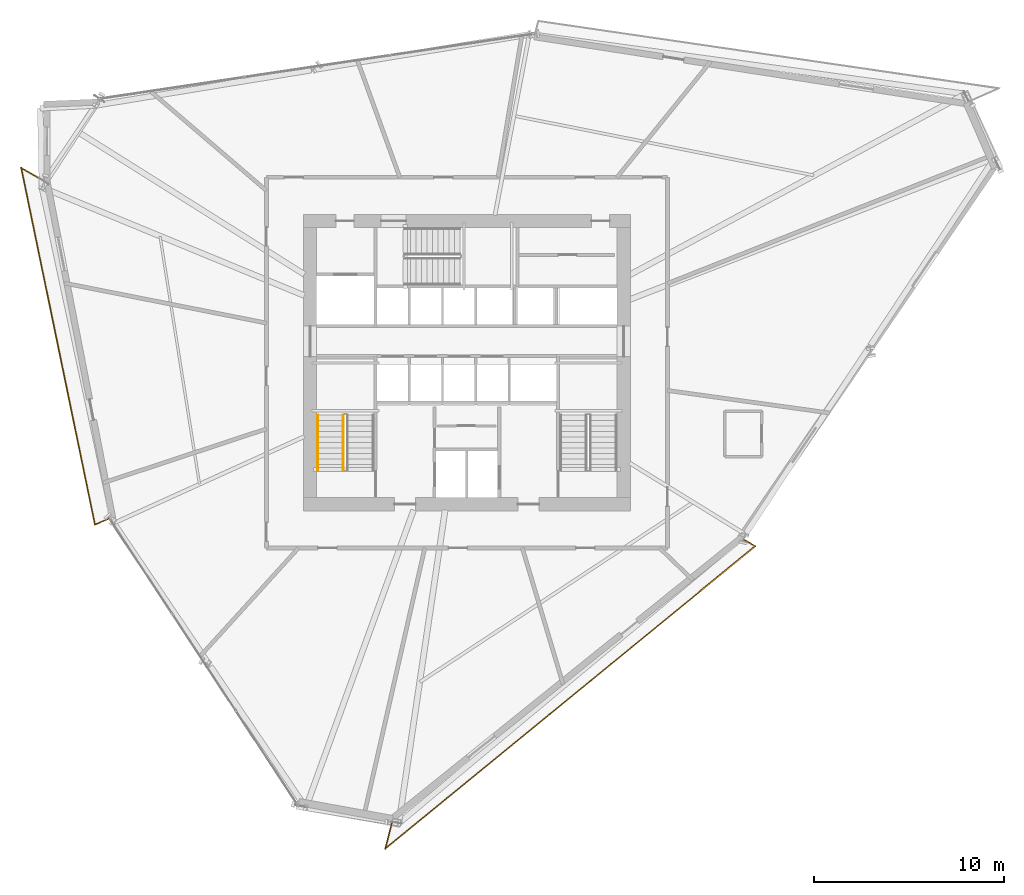
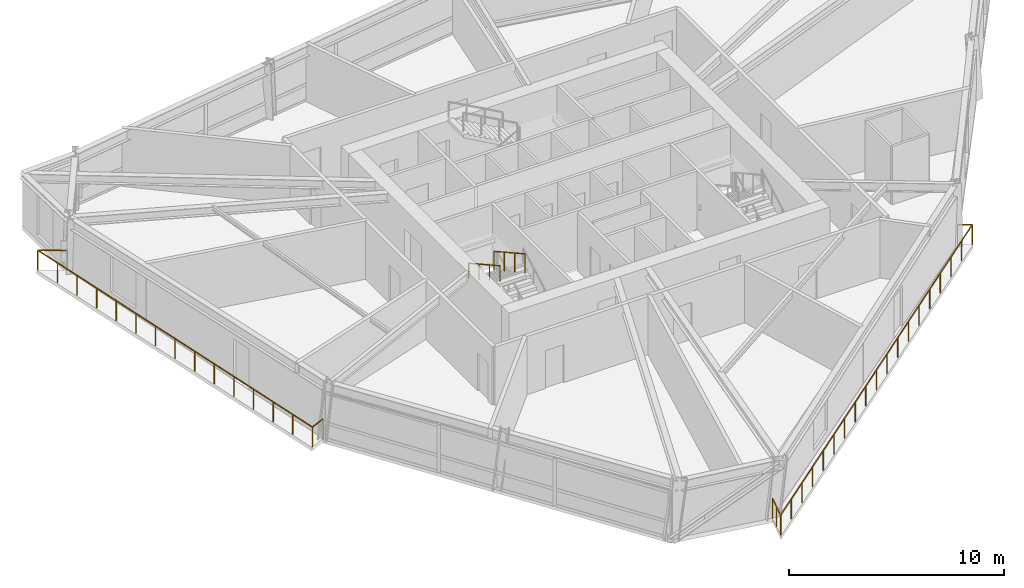
# One storey, part 12 of 14: 4 railings.
"""IFC4 building model written with IfcOpenShell, lengths in metres."""

from ifc_helpers import new_model, si_unit, direction, frame, origin, origin_2d, place, context, subcontext, project, spatial, rectangle, extrude, material, type_object, element, save


model = new_model("IFC4")

# Units and contexts
model_context = context("Model", 3, precision=1e-05, world=origin(), true_north=direction((0.0, 1.0)))
body_context = subcontext(model_context, "Body", "Model", "MODEL_VIEW")
ifc_project = project(units=[si_unit("LENGTHUNIT", "METRE"), si_unit("AREAUNIT", "SQUARE_METRE"), si_unit("VOLUMEUNIT", "CUBIC_METRE"), si_unit("PLANEANGLEUNIT", "RADIAN"), si_unit("MASSUNIT", "GRAM", prefix="KILO")], contexts=[model_context])

# Site, building, storey
site_placement = place(None, origin())
site = spatial("IfcSite", under=ifc_project, at=site_placement, CompositionType="ELEMENT")
building_placement = place(site_placement, origin())
building = spatial("IfcBuilding", under=site, at=building_placement, Name="Olszyna Solenne Hotel", CompositionType="ELEMENT")
storey_placement = place(building_placement, frame((0.0, 0.0, 130.550048828125)))
storey = spatial("IfcBuildingStorey", under=building, at=storey_placement, Name="L34", CompositionType="ELEMENT", Elevation=130.550048828125)

# Railings
ifc_material_1 = material(Name="Anodised bronze aluminium", Category="aluminium")
railing_type_1 = type_object("IfcRailingType", Name="GR-110", PredefinedType="BALUSTRADE", material=ifc_material_1)
railing_1_placement = place(storey_placement, frame((15.748046875, 36.1611328125, 0.0)))
element("IfcRailing", 1, at=railing_1_placement, inside=storey, type_object=railing_type_1, Name="Loggia balcony balustrade guard GR-L34-LG2", PredefinedType="BALUSTRADE", context=body_context, shape_type="SweptSolid", body=[
    extrude(rectangle(XDim=0.048095703125, YDim=0.048095703125, at=origin_2d()), frame((0.0, 0.0, 1.1259765625), z_axis=(-0.865704870808, 0.500554768891, 0.0), x_axis=(-0.500554768891, -0.865704870808, 0.0)), (0.0, 0.0, 1.0), 1.37939453125),
    extrude(rectangle(XDim=0.048095703125, YDim=0.048095703125, at=origin_2d()), frame((-1.194091796875, 0.6904296875, 1.1259765625), z_axis=(0.20226752851, -0.979330305316, 0.0), x_axis=(0.979330305316, 0.20226752851, 0.0)), (0.0, 0.0, 1.0), 19.17578125),
    extrude(rectangle(XDim=0.048095703125, YDim=0.048095703125, at=origin_2d()), frame((2.6845703125, -18.089111328125, 1.1259765625), z_axis=(0.914713899143, 0.404102069675, 0.0), x_axis=(-0.404102069675, 0.914713899143, 0.0)), (0.0, 0.0, 1.0), 0.845703125),
    extrude(rectangle(XDim=0.0419921875, YDim=0.0419921875, at=origin_2d()), origin(), (0.0, 0.0, 1.0), 1.101806640625),
    extrude(rectangle(XDim=0.0419921875, YDim=0.0419921875, at=origin_2d()), frame((-1.194091796875, 0.6904296875, 0.0)), (0.0, 0.0, 1.0), 1.101806640625),
    extrude(rectangle(XDim=0.0419921875, YDim=0.0419921875, at=origin_2d()), frame((-0.9169921875, -0.65087890625, 0.0)), (0.0, 0.0, 1.0), 1.101806640625),
    extrude(rectangle(XDim=0.0419921875, YDim=0.0419921875, at=origin_2d()), frame((-0.639892578125, -1.992431640625, 0.0)), (0.0, 0.0, 1.0), 1.101806640625),
    extrude(rectangle(XDim=0.0419921875, YDim=0.0419921875, at=origin_2d()), frame((-0.363037109375, -3.333740234375, 0.0)), (0.0, 0.0, 1.0), 1.101806640625),
    extrude(rectangle(XDim=0.0419921875, YDim=0.0419921875, at=origin_2d()), frame((-0.0859375, -4.675048828125, 0.0)), (0.0, 0.0, 1.0), 1.101806640625),
    extrude(rectangle(XDim=0.0419921875, YDim=0.0419921875, at=origin_2d()), frame((0.191162109375, -6.0166015625, 0.0)), (0.0, 0.0, 1.0), 1.101806640625),
    extrude(rectangle(XDim=0.0419921875, YDim=0.0419921875, at=origin_2d()), frame((0.46826171875, -7.35791015625, 0.0)), (0.0, 0.0, 1.0), 1.101806640625),
    extrude(rectangle(XDim=0.0419921875, YDim=0.0419921875, at=origin_2d()), frame((0.7451171875, -8.69921875, 0.0)), (0.0, 0.0, 1.0), 1.101806640625),
    extrude(rectangle(XDim=0.0419921875, YDim=0.0419921875, at=origin_2d()), frame((1.022216796875, -10.040771484375, 0.0)), (0.0, 0.0, 1.0), 1.101806640625),
    extrude(rectangle(XDim=0.0419921875, YDim=0.0419921875, at=origin_2d()), frame((1.29931640625, -11.382080078125, 0.0)), (0.0, 0.0, 1.0), 1.101806640625),
    extrude(rectangle(XDim=0.0419921875, YDim=0.0419921875, at=origin_2d()), frame((1.576416015625, -12.7236328125, 0.0)), (0.0, 0.0, 1.0), 1.101806640625),
    extrude(rectangle(XDim=0.0419921875, YDim=0.0419921875, at=origin_2d()), frame((1.853515625, -14.06494140625, 0.0)), (0.0, 0.0, 1.0), 1.101806640625),
    extrude(rectangle(XDim=0.0419921875, YDim=0.0419921875, at=origin_2d()), frame((2.13037109375, -15.40625, 0.0)), (0.0, 0.0, 1.0), 1.101806640625),
    extrude(rectangle(XDim=0.0419921875, YDim=0.0419921875, at=origin_2d()), frame((2.407470703125, -16.747802734375, 0.0)), (0.0, 0.0, 1.0), 1.101806640625),
    extrude(rectangle(XDim=0.0419921875, YDim=0.0419921875, at=origin_2d()), frame((2.6845703125, -18.089111328125, 0.0)), (0.0, 0.0, 1.0), 1.101806640625),
    extrude(rectangle(XDim=0.0419921875, YDim=0.0419921875, at=origin_2d()), frame((3.458251953125, -17.747314453125, 0.0)), (0.0, 0.0, 1.0), 1.101806640625),
])
railing_2_placement = place(storey_placement, frame((34.053466796875, 2.402099609375, 0.0)))
element("IfcRailing", 2, at=railing_2_placement, inside=storey, type_object=railing_type_1, Name="Loggia balcony balustrade guard GR-L34-LG3", PredefinedType="BALUSTRADE", context=body_context, shape_type="SweptSolid", body=[
    extrude(rectangle(XDim=0.048095703125, YDim=0.048095703125, at=origin_2d()), frame((0.0, 0.0, 1.1259765625), z_axis=(-0.24937310201, -0.968407484479, 0.0), x_axis=(0.968407484479, -0.24937310201, 0.0)), (0.0, 0.0, 1.0), 1.418701171875),
    extrude(rectangle(XDim=0.048095703125, YDim=0.048095703125, at=origin_2d()), frame((-0.353759765625, -1.373779296875, 1.1259765625), z_axis=(0.774119934061, 0.633038962221, 0.0), x_axis=(-0.633038962221, 0.774119934061, 0.0)), (0.0, 0.0, 1.0), 25.144287109375),
    extrude(rectangle(XDim=0.048095703125, YDim=0.048095703125, at=origin_2d()), frame((19.11083984375, 14.54345703125, 1.1259765625), z_axis=(-0.865813937552, 0.500366091518, 0.0), x_axis=(-0.500366091518, -0.865813937552, 0.0)), (0.0, 0.0, 1.0), 0.689453125),
    extrude(rectangle(XDim=0.0419921875, YDim=0.0419921875, at=origin_2d()), origin(), (0.0, 0.0, 1.0), 1.101806640625),
    extrude(rectangle(XDim=0.0419921875, YDim=0.0419921875, at=origin_2d()), frame((-0.1767578125, -0.68701171875, 0.0)), (0.0, 0.0, 1.0), 1.101806640625),
    extrude(rectangle(XDim=0.0419921875, YDim=0.0419921875, at=origin_2d()), frame((-0.353759765625, -1.373779296875, 0.0)), (0.0, 0.0, 1.0), 1.101806640625),
    extrude(rectangle(XDim=0.0419921875, YDim=0.0419921875, at=origin_2d()), frame((0.7275390625, -0.489501953125, 0.0)), (0.0, 0.0, 1.0), 1.101806640625),
    extrude(rectangle(XDim=0.0419921875, YDim=0.0419921875, at=origin_2d()), frame((1.80908203125, 0.394775390625, 0.0)), (0.0, 0.0, 1.0), 1.101806640625),
    extrude(rectangle(XDim=0.0419921875, YDim=0.0419921875, at=origin_2d()), frame((2.890380859375, 1.279052734375, 0.0)), (0.0, 0.0, 1.0), 1.101806640625),
    extrude(rectangle(XDim=0.0419921875, YDim=0.0419921875, at=origin_2d()), frame((3.9716796875, 2.163330078125, 0.0)), (0.0, 0.0, 1.0), 1.101806640625),
    extrude(rectangle(XDim=0.0419921875, YDim=0.0419921875, at=origin_2d()), frame((5.052978515625, 3.047607421875, 0.0)), (0.0, 0.0, 1.0), 1.101806640625),
    extrude(rectangle(XDim=0.0419921875, YDim=0.0419921875, at=origin_2d()), frame((6.134521484375, 3.931884765625, 0.0)), (0.0, 0.0, 1.0), 1.101806640625),
    extrude(rectangle(XDim=0.0419921875, YDim=0.0419921875, at=origin_2d()), frame((7.2158203125, 4.816162109375, 0.0)), (0.0, 0.0, 1.0), 1.101806640625),
    extrude(rectangle(XDim=0.0419921875, YDim=0.0419921875, at=origin_2d()), frame((8.297119140625, 5.700439453125, 0.0)), (0.0, 0.0, 1.0), 1.101806640625),
    extrude(rectangle(XDim=0.0419921875, YDim=0.0419921875, at=origin_2d()), frame((9.37841796875, 6.5849609375, 0.0)), (0.0, 0.0, 1.0), 1.101806640625),
    extrude(rectangle(XDim=0.0419921875, YDim=0.0419921875, at=origin_2d()), frame((10.4599609375, 7.46923828125, 0.0)), (0.0, 0.0, 1.0), 1.101806640625),
    extrude(rectangle(XDim=0.0419921875, YDim=0.0419921875, at=origin_2d()), frame((11.541259765625, 8.353515625, 0.0)), (0.0, 0.0, 1.0), 1.101806640625),
    extrude(rectangle(XDim=0.0419921875, YDim=0.0419921875, at=origin_2d()), frame((12.62255859375, 9.23779296875, 0.0)), (0.0, 0.0, 1.0), 1.101806640625),
    extrude(rectangle(XDim=0.0419921875, YDim=0.0419921875, at=origin_2d()), frame((13.7041015625, 10.1220703125, 0.0)), (0.0, 0.0, 1.0), 1.101806640625),
    extrude(rectangle(XDim=0.0419921875, YDim=0.0419921875, at=origin_2d()), frame((14.785400390625, 11.00634765625, 0.0)), (0.0, 0.0, 1.0), 1.101806640625),
    extrude(rectangle(XDim=0.0419921875, YDim=0.0419921875, at=origin_2d()), frame((15.86669921875, 11.890625, 0.0)), (0.0, 0.0, 1.0), 1.101806640625),
    extrude(rectangle(XDim=0.0419921875, YDim=0.0419921875, at=origin_2d()), frame((16.947998046875, 12.77490234375, 0.0)), (0.0, 0.0, 1.0), 1.101806640625),
    extrude(rectangle(XDim=0.0419921875, YDim=0.0419921875, at=origin_2d()), frame((18.029541015625, 13.6591796875, 0.0)), (0.0, 0.0, 1.0), 1.101806640625),
    extrude(rectangle(XDim=0.0419921875, YDim=0.0419921875, at=origin_2d()), frame((19.11083984375, 14.54345703125, 0.0)), (0.0, 0.0, 1.0), 1.101806640625),
    extrude(rectangle(XDim=0.0419921875, YDim=0.0419921875, at=origin_2d()), frame((18.513916015625, 14.888427734375, 0.0)), (0.0, 0.0, 1.0), 1.101806640625),
])
railing_3_placement = place(storey_placement, frame((31.5, 23.85009765625, 1.936279296875)))
element("IfcRailing", 3, at=railing_3_placement, inside=storey, type_object=railing_type_1, Name="L34 ST1 stair guard 3", PredefinedType="BALUSTRADE", context=body_context, shape_type="SweptSolid", body=[
    extrude(rectangle(XDim=0.048095703125, YDim=0.048095703125, at=origin_2d()), frame((0.0, 0.0, 1.076171875), z_axis=(0.0, -0.873827439584, 0.48623616261), x_axis=(1.0, 0.0, 0.0)), (0.0, 0.0, 1.0), 3.31884765625),
    extrude(rectangle(XDim=0.0419921875, YDim=0.0419921875, at=origin_2d()), origin(), (0.0, 0.0, 1.0), 1.052001953125),
    extrude(rectangle(XDim=0.0419921875, YDim=0.0419921875, at=origin_2d()), frame((0.0, -0.966796875, 0.537841796875)), (0.0, 0.0, 1.0), 1.052001953125),
    extrude(rectangle(XDim=0.0419921875, YDim=0.0419921875, at=origin_2d()), frame((0.0, -1.933349609375, 1.075927734375)), (0.0, 0.0, 1.0), 1.052001953125),
    extrude(rectangle(XDim=0.0419921875, YDim=0.0419921875, at=origin_2d()), frame((0.0, -2.900146484375, 1.61376953125)), (0.0, 0.0, 1.0), 1.052001953125),
])
ifc_material_2 = material(Name="Steel S355J2", Category="steel")
railing_type_2 = type_object("IfcRailingType", Name="HR-090", PredefinedType="HANDRAIL", material=ifc_material_2)
railing_4_placement = place(storey_placement, frame((30.14990234375, 23.85009765625, 1.936279296875)))
element("IfcRailing", 4, at=railing_4_placement, inside=storey, type_object=railing_type_2, Name="L34 ST1 stair handrail 2", PredefinedType="HANDRAIL", context=body_context, shape_type="SweptSolid", body=[
    extrude(rectangle(XDim=0.048095703125, YDim=0.048095703125, at=origin_2d()), frame((0.0, 0.0, 0.8759765625), z_axis=(0.0, -0.873827439584, 0.48623616261), x_axis=(1.0, 0.0, 0.0)), (0.0, 0.0, 1.0), 3.31884765625),
    extrude(rectangle(XDim=0.0419921875, YDim=0.0419921875, at=origin_2d()), origin(), (0.0, 0.0, 1.0), 0.851806640625),
    extrude(rectangle(XDim=0.0419921875, YDim=0.0419921875, at=origin_2d()), frame((0.0, -0.966796875, 0.537841796875)), (0.0, 0.0, 1.0), 0.851806640625),
    extrude(rectangle(XDim=0.0419921875, YDim=0.0419921875, at=origin_2d()), frame((0.0, -1.933349609375, 1.075927734375)), (0.0, 0.0, 1.0), 0.851806640625),
    extrude(rectangle(XDim=0.0419921875, YDim=0.0419921875, at=origin_2d()), frame((0.0, -2.900146484375, 1.61376953125)), (0.0, 0.0, 1.0), 0.851806640625),
])

save(model, "model.ifc")
